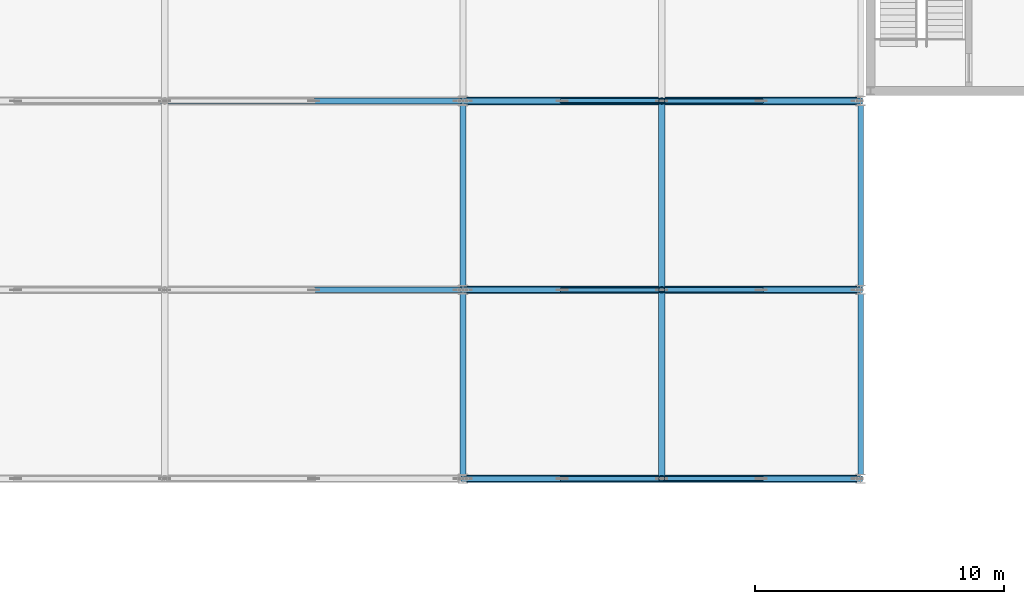
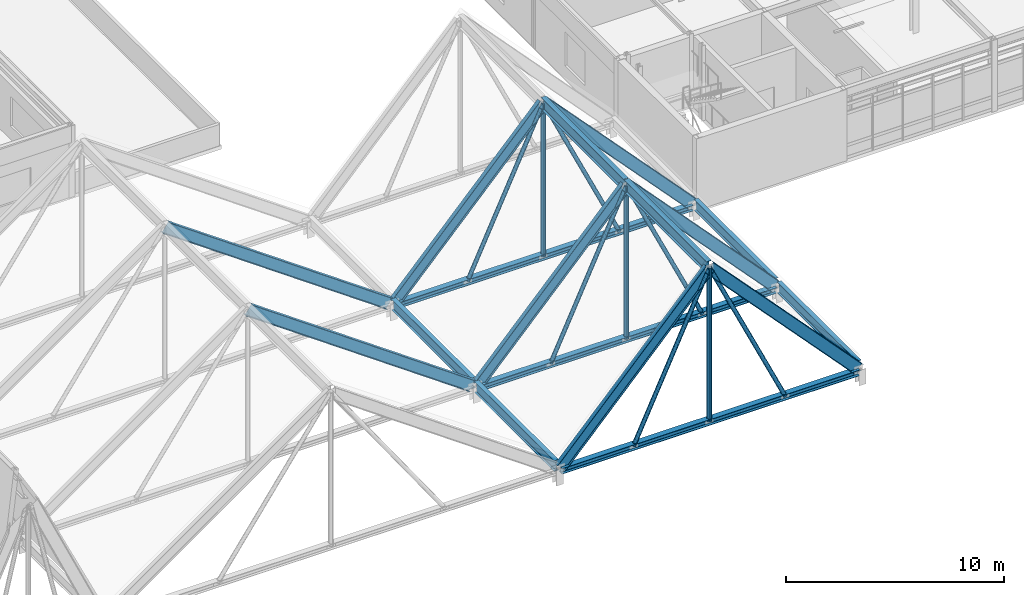
# One storey, part 40 of 85: 14 beams, 12 members.
"""IFC4 building model written with IfcOpenShell, lengths in metres."""

from ifc_helpers import new_model, si_unit, direction, frame, origin, origin_2d, place, context, subcontext, project, spatial, hollow_circle, i_section, extrude, material, material_profile, profile_set, type_object, element, save


model = new_model("IFC4")

# Units and contexts
model_context = context("Model", 3, precision=1e-05, world=origin(), true_north=direction((0.0, 1.0)))
body_context = subcontext(model_context, "Body", "Model", "MODEL_VIEW")
ifc_project = project(units=[si_unit("LENGTHUNIT", "METRE"), si_unit("AREAUNIT", "SQUARE_METRE"), si_unit("VOLUMEUNIT", "CUBIC_METRE"), si_unit("PLANEANGLEUNIT", "RADIAN"), si_unit("MASSUNIT", "GRAM", prefix="KILO")], contexts=[model_context])

# Site, building, storey
site_placement = place(None, origin())
site = spatial("IfcSite", under=ifc_project, at=site_placement, CompositionType="ELEMENT")
building_placement = place(site_placement, origin())
building = spatial("IfcBuilding", under=site, at=building_placement, Name="Zulena Civic Courthouse", CompositionType="ELEMENT")
storey_placement = place(building_placement, frame((0.0, 0.0, 25.199951171875)))
storey = spatial("IfcBuildingStorey", under=building, at=storey_placement, Name="L05", CompositionType="ELEMENT", Elevation=25.199951171875)

# Members
ifc_material_1 = material(Name="Steel ASTM A992 Grade 50", Category="steel")
ifc_material_profile_1 = material_profile(ifc_material_1, i_section(OverallWidth=0.30908203125, OverallDepth=0.322998046875, WebThickness=0.013916015625, FlangeThickness=0.02294921875, FilletRadius=0.01513671875, at=origin_2d()), Name="W12X96")
ifc_profile_set_1 = profile_set([ifc_material_profile_1], Name="Steel ASTM A992 Grade 50")
member_type_1 = type_object("IfcMemberType", Name="Chord_W12X96", PredefinedType="CHORD", material=ifc_profile_set_1)
for number, where, z_axis, x_axis, name in (
    (1, (108.139892578125, 15.199951171875, 0.496337890625), (1.0, 0.0, 0.0), (0.0, 1.0, 0.0), "mem:fold:tie:04:15.2"),
    (2, (108.139892578125, 22.800048828125, 0.496337890625), (1.0, 0.0, 0.0), (0.0, 1.0, 0.0), "mem:fold:tie:04:22.8"),
    (3, (108.139892578125, 30.39990234375, 0.496337890625), (1.0, 0.0, 0.0), (0.0, 1.0, 0.0), "mem:fold:tie:04:30.4"),
):
    element("IfcMember", number, at=place(storey_placement, frame(where, z_axis=z_axis, x_axis=x_axis)), inside=storey, type_object=member_type_1, Name=name, PredefinedType="CHORD", context=body_context, shape_type="SweptSolid", body=[
        extrude(i_section(OverallWidth=0.30908203125, OverallDepth=0.322998046875, WebThickness=0.013916015625, FlangeThickness=0.02294921875, FilletRadius=0.01513671875, at=origin_2d()), origin(), (0.0, 0.0, 1.0), 15.72021484375),
    ])

# Beams
ifc_material_profile_2 = material_profile(ifc_material_1, i_section(OverallWidth=0.22802734375, OverallDepth=0.60693359375, WebThickness=0.01123046875, FlangeThickness=0.017333984375, FilletRadius=0.0126953125, at=origin_2d()), Name="W24X76")
ifc_profile_set_2 = profile_set([ifc_material_profile_2], Name="Steel ASTM A992 Grade 50")
beam_type_1 = type_object("IfcBeamType", Name="RoofRafter_W24X76", PredefinedType="BEAM", material=ifc_profile_set_2)
for number, where, z_axis, x_axis, name in (
    (4, (96.010009765625, 22.800048828125, 9.096435546875), (0.815826895682, 0.0, -0.578296183873), (0.0, 1.0, 0.0), "beam:fold:rafE:03:22.8"),
    (5, (96.010009765625, 30.39990234375, 9.096435546875), (0.815826895682, 0.0, -0.578296183873), (0.0, 1.0, 0.0), "beam:fold:rafE:03:30.4"),
):
    element("IfcBeam", number, at=place(storey_placement, frame(where, z_axis=z_axis, x_axis=x_axis)), inside=storey, type_object=beam_type_1, Name=name, PredefinedType="BEAM", context=body_context, shape_type="SweptSolid", body=[
        extrude(i_section(OverallWidth=0.22802734375, OverallDepth=0.60693359375, WebThickness=0.01123046875, FlangeThickness=0.017333984375, FilletRadius=0.0126953125, at=origin_2d()), origin(), (0.0, 0.0, 1.0), 14.525146484375),
    ])
beam_1_placement = place(storey_placement, frame((108.0, 15.340087890625, 0.696533203125), z_axis=(0.0, 1.0, 0.0), x_axis=(-1.0, 0.0, 0.0)))
element("IfcBeam", 6, at=beam_1_placement, inside=storey, type_object=beam_type_1, Name="beam:fold:val:L05:108.0:15.2", PredefinedType="BEAM", context=body_context, shape_type="SweptSolid", body=[
    extrude(i_section(OverallWidth=0.22802734375, OverallDepth=0.60693359375, WebThickness=0.01123046875, FlangeThickness=0.017333984375, FilletRadius=0.0126953125, at=origin_2d()), origin(), (0.0, 0.0, 1.0), 7.31982421875),
])
beam_2_placement = place(storey_placement, frame((108.0, 22.93994140625, 0.696533203125), z_axis=(0.0, 1.0, 0.0), x_axis=(-1.0, 0.0, 0.0)))
element("IfcBeam", 7, at=beam_2_placement, inside=storey, type_object=beam_type_1, Name="beam:fold:val:L05:108.0:22.8", PredefinedType="BEAM", context=body_context, shape_type="SweptSolid", body=[
    extrude(i_section(OverallWidth=0.22802734375, OverallDepth=0.60693359375, WebThickness=0.01123046875, FlangeThickness=0.017333984375, FilletRadius=0.0126953125, at=origin_2d()), origin(), (0.0, 0.0, 1.0), 7.320068359375),
])
for number, where, z_axis, x_axis, name in (
    (8, (108.139892578125, 15.199951171875, 0.65625), (0.682781141332, 0.0, 0.730622962301), (0.0, 1.0, 0.0), "beam:fold:rafW:04:15.2"),
    (9, (116.010009765625, 15.199951171875, 9.056396484375), (0.682781141332, 0.0, -0.730622962301), (0.0, 1.0, 0.0), "beam:fold:rafE:04:15.2"),
    (10, (108.139892578125, 22.800048828125, 0.65625), (0.682781141332, 0.0, 0.730622962301), (0.0, 1.0, 0.0), "beam:fold:rafW:04:22.8"),
    (11, (116.010009765625, 22.800048828125, 9.056396484375), (0.682781141332, 0.0, -0.730622962301), (0.0, 1.0, 0.0), "beam:fold:rafE:04:22.8"),
    (12, (108.139892578125, 30.39990234375, 0.65625), (0.682781141332, 0.0, 0.730622962301), (0.0, 1.0, 0.0), "beam:fold:rafW:04:30.4"),
    (13, (116.010009765625, 30.39990234375, 9.056396484375), (0.682781141332, 0.0, -0.730622962301), (0.0, 1.0, 0.0), "beam:fold:rafE:04:30.4"),
):
    element("IfcBeam", number, at=place(storey_placement, frame(where, z_axis=z_axis, x_axis=x_axis)), inside=storey, type_object=beam_type_1, Name=name, PredefinedType="BEAM", context=body_context, shape_type="SweptSolid", body=[
        extrude(i_section(OverallWidth=0.22802734375, OverallDepth=0.60693359375, WebThickness=0.01123046875, FlangeThickness=0.017333984375, FilletRadius=0.0126953125, at=origin_2d()), origin(), (0.0, 0.0, 1.0), 11.497314453125),
    ])
beam_3_placement = place(storey_placement, frame((124.0, 15.340087890625, 0.65625), z_axis=(0.0, 1.0, 0.0), x_axis=(-1.0, 0.0, 0.0)))
element("IfcBeam", 14, at=beam_3_placement, inside=storey, type_object=beam_type_1, Name="beam:fold:val:L05:124.0:15.2", PredefinedType="BEAM", context=body_context, shape_type="SweptSolid", body=[
    extrude(i_section(OverallWidth=0.22802734375, OverallDepth=0.60693359375, WebThickness=0.01123046875, FlangeThickness=0.017333984375, FilletRadius=0.0126953125, at=origin_2d()), origin(), (0.0, 0.0, 1.0), 7.31982421875),
])
beam_4_placement = place(storey_placement, frame((124.0, 22.93994140625, 0.65625), z_axis=(0.0, 1.0, 0.0), x_axis=(-1.0, 0.0, 0.0)))
element("IfcBeam", 15, at=beam_4_placement, inside=storey, type_object=beam_type_1, Name="beam:fold:val:L05:124.0:22.8", PredefinedType="BEAM", context=body_context, shape_type="SweptSolid", body=[
    extrude(i_section(OverallWidth=0.22802734375, OverallDepth=0.60693359375, WebThickness=0.01123046875, FlangeThickness=0.017333984375, FilletRadius=0.0126953125, at=origin_2d()), origin(), (0.0, 0.0, 1.0), 7.320068359375),
])
ifc_material_profile_3 = material_profile(ifc_material_1, i_section(OverallWidth=0.25390625, OverallDepth=0.68798828125, WebThickness=0.01318359375, FlangeThickness=0.02099609375, FilletRadius=0.0166015625, at=origin_2d()), Name="W27X102")
ifc_profile_set_3 = profile_set([ifc_material_profile_3], Name="Steel ASTM A992 Grade 50")
beam_type_2 = type_object("IfcBeamType", Name="RoofRafter_W27X102", PredefinedType="BEAM", material=ifc_profile_set_3)
beam_5_placement = place(storey_placement, frame((116.0, 15.219970703125, 9.056396484375), z_axis=(0.0, 1.0, 0.0), x_axis=(-1.0, 0.0, 0.0)))
element("IfcBeam", 16, at=beam_5_placement, inside=storey, type_object=beam_type_2, Name="beam:fold:ridge:04:15.2", PredefinedType="BEAM", context=body_context, shape_type="SweptSolid", body=[
    extrude(i_section(OverallWidth=0.25390625, OverallDepth=0.68798828125, WebThickness=0.01318359375, FlangeThickness=0.02099609375, FilletRadius=0.0166015625, at=origin_2d()), origin(), (0.0, 0.0, 1.0), 7.56005859375),
])
beam_6_placement = place(storey_placement, frame((116.0, 22.820068359375, 9.056396484375), z_axis=(0.0, 1.0, 0.0), x_axis=(-1.0, 0.0, 0.0)))
element("IfcBeam", 17, at=beam_6_placement, inside=storey, type_object=beam_type_2, Name="beam:fold:ridge:04:22.8", PredefinedType="BEAM", context=body_context, shape_type="SweptSolid", body=[
    extrude(i_section(OverallWidth=0.25390625, OverallDepth=0.68798828125, WebThickness=0.01318359375, FlangeThickness=0.02099609375, FilletRadius=0.0166015625, at=origin_2d()), origin(), (0.0, 0.0, 1.0), 7.559814453125),
])

# Members
ifc_material_2 = material(Name="Steel ASTM A500 Grade C", Category="steel")
ifc_material_profile_4 = material_profile(ifc_material_2, hollow_circle(Radius=0.126953125, WallThickness=0.01171875, at=origin_2d()), Name="HSS10.000X0.500")
ifc_profile_set_4 = profile_set([ifc_material_profile_4], Name="Steel ASTM A500 Grade C")
member_type_2 = type_object("IfcMemberType", Name="RoofWeb_CHS10", PredefinedType="USERDEFINED", material=ifc_profile_set_4)
for number, where, z_axis, x_axis, name in (
    (18, (116.0, 15.199951171875, 0.496337890625), (0.0, 0.0, 1.0), (1.0, 0.0, 0.0), "mem:fold:king:04:15.2"),
    (19, (116.0, 22.800048828125, 0.496337890625), (0.0, 0.0, 1.0), (1.0, 0.0, 0.0), "mem:fold:king:04:22.8"),
    (20, (116.0, 30.39990234375, 0.496337890625), (0.0, 0.0, 1.0), (1.0, 0.0, 0.0), "mem:fold:king:04:30.4"),
):
    element("IfcMember", number, at=place(storey_placement, frame(where, z_axis=z_axis, x_axis=x_axis)), inside=storey, type_object=member_type_2, Name=name, ObjectType="ROOF TRUSS", PredefinedType="USERDEFINED", context=body_context, shape_type="SweptSolid", body=[
        extrude(hollow_circle(Radius=0.126953125, WallThickness=0.01171875, at=origin_2d()), origin(), (0.0, 0.0, 1.0), 8.56005859375),
    ])
ifc_material_profile_5 = material_profile(ifc_material_2, hollow_circle(Radius=0.109619140625, WallThickness=0.0087890625, at=origin_2d()), Name="HSS8.625X0.375")
ifc_profile_set_5 = profile_set([ifc_material_profile_5], Name="Steel ASTM A500 Grade C")
member_type_3 = type_object("IfcMemberType", Name="RoofWeb_CHS8", PredefinedType="USERDEFINED", material=ifc_profile_set_5)
for number, where, z_axis, x_axis, name in (
    (21, (112.0, 15.199951171875, 0.496337890625), (0.423346552263, 0.0, 0.905967823208), (0.0, 1.0, 0.0), "mem:fold:diagW:04:15.2"),
    (22, (120.0, 15.199951171875, 0.496337890625), (-0.423346552263, 0.0, 0.905967823208), (0.0, -1.0, 0.0), "mem:fold:diagE:04:15.2"),
    (23, (112.0, 22.800048828125, 0.496337890625), (0.423346552263, 0.0, 0.905967823208), (0.0, 1.0, 0.0), "mem:fold:diagW:04:22.8"),
    (24, (120.0, 22.800048828125, 0.496337890625), (-0.423346552263, 0.0, 0.905967823208), (0.0, -1.0, 0.0), "mem:fold:diagE:04:22.8"),
    (25, (112.0, 30.39990234375, 0.496337890625), (0.423346552263, 0.0, 0.905967823208), (0.0, 1.0, 0.0), "mem:fold:diagW:04:30.4"),
    (26, (120.0, 30.39990234375, 0.496337890625), (-0.423346552263, 0.0, 0.905967823208), (0.0, -1.0, 0.0), "mem:fold:diagE:04:30.4"),
):
    element("IfcMember", number, at=place(storey_placement, frame(where, z_axis=z_axis, x_axis=x_axis)), inside=storey, type_object=member_type_3, Name=name, ObjectType="ROOF TRUSS", PredefinedType="USERDEFINED", context=body_context, shape_type="SweptSolid", body=[
        extrude(hollow_circle(Radius=0.109619140625, WallThickness=0.0087890625, at=origin_2d()), origin(), (0.0, 0.0, 1.0), 9.448486328125),
    ])

save(model, "model.ifc")
